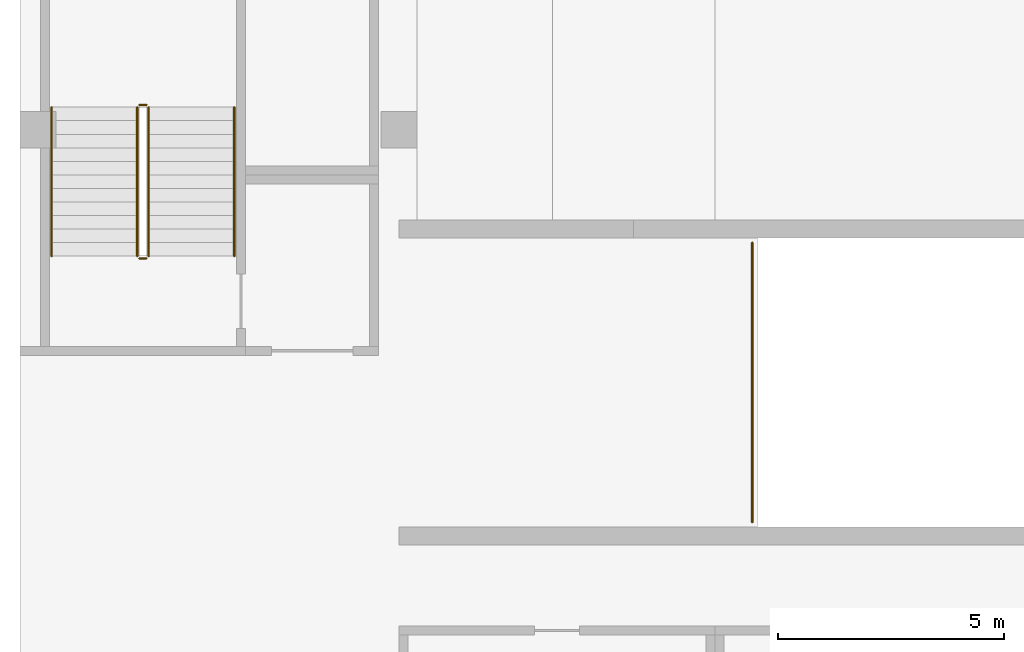
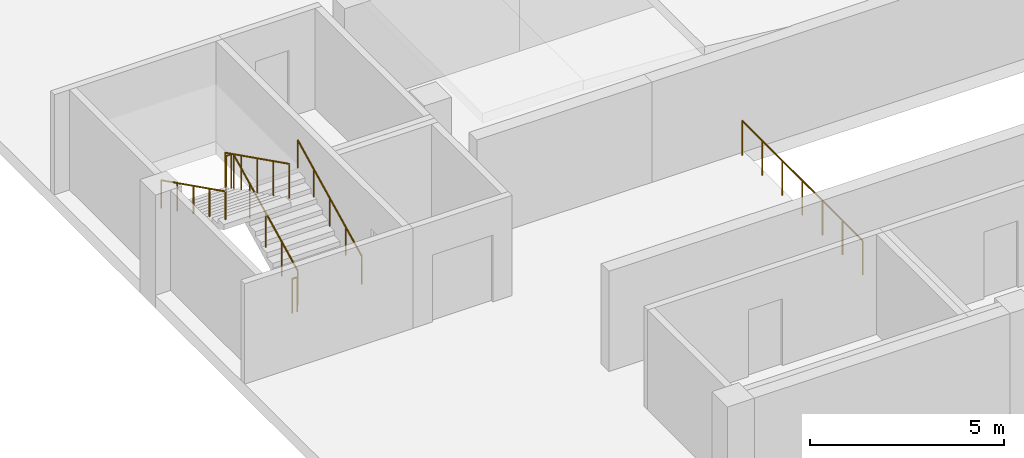
# One storey, part 19 of 37: 7 railings.
"""IFC4 building model written with IfcOpenShell, lengths in metres."""

import ifcopenshell
import ifcopenshell.guid

model = None  # the IFC model being written
_history = None  # IfcOwnerHistory: only IFC2X3 demands one
_inside = {}  # id of a spatial element -> (the spatial element, [elements in it])
_under = {}  # id of a project, library or spatial element -> (it, [spatial elements below it])
_declared = {}  # id of a project -> (the project, [libraries it declares])
_typed = {}  # id of a type object -> (the type object, [elements of that type])
_made_of = {}  # id of a material, layer set ... -> (it, [elements and type objects made of it])


def new_model(schema):
    """Start an empty IFC model of exactly this schema.

    Asked for "IFC4X3", IfcOpenShell would pick the latest addendum, in which some entities
    have other attributes; the version numbers below select the first issue.
    IFC2X3 requires an IfcOwnerHistory on every rooted entity: one is made here for all.
    """
    global model, _history
    if schema == "IFC4X3":
        model = ifcopenshell.file(schema_version=(4, 3, 0, 0))
    else:
        model = ifcopenshell.file(schema=schema)
    _inside.clear()
    _under.clear()
    _declared.clear()
    _typed.clear()
    _made_of.clear()
    _history = None
    if model.schema == "IFC2X3":
        org = make("IfcOrganization", Name="unknown")
        user = make(
            "IfcPersonAndOrganization",
            ThePerson=make("IfcPerson", FamilyName="unknown"),
            TheOrganization=org,
        )
        app = make(
            "IfcApplication",
            ApplicationDeveloper=org,
            Version="unknown",
            ApplicationFullName="unknown",
            ApplicationIdentifier="unknown",
        )
        _history = make(
            "IfcOwnerHistory",
            OwningUser=user,
            OwningApplication=app,
            ChangeAction="ADDED",
            CreationDate=0,
        )
    return model


def make(cls, **values):
    """One entity of the class cls with the attributes given. An attribute that is None is left unset."""
    return model.create_entity(
        cls, **{name: value for name, value in values.items() if value is not None}
    )


def rooted(cls, **values):
    """An entity with a GlobalId (a new one), such as an element, a storey or a relation."""
    return make(cls, GlobalId=ifcopenshell.guid.new(), OwnerHistory=_history, **values)


def si_unit(unit_type, name, prefix=None):
    """IfcSIUnit, for example si_unit("LENGTHUNIT", "METRE", prefix="MILLI")."""
    return make("IfcSIUnit", UnitType=unit_type, Prefix=prefix, Name=name)


def assignment(units):
    """IfcUnitAssignment: the units of a project."""
    return None if units is None else make("IfcUnitAssignment", Units=units)


def point(xyz):
    """IfcCartesianPoint."""
    return None if xyz is None else make("IfcCartesianPoint", Coordinates=xyz)


def direction(xyz):
    """IfcDirection."""
    return None if xyz is None else make("IfcDirection", DirectionRatios=xyz)


def frame(location, z_axis=None, x_axis=None):
    """IfcAxis2Placement3D, a coordinate frame: its origin and axes. An axis left out is left unset."""
    return make(
        "IfcAxis2Placement3D",
        Location=point(location),
        Axis=direction(z_axis),
        RefDirection=direction(x_axis),
    )


def frame_2d(location, x_axis=None):
    """IfcAxis2Placement2D, a coordinate frame in the plane: its origin and x axis."""
    return make(
        "IfcAxis2Placement2D", Location=point(location), RefDirection=direction(x_axis)
    )


def origin():
    """The frame at (0, 0, 0) with its axes left unset."""
    return frame((0.0, 0.0, 0.0))


def origin_2d():
    """The frame at (0, 0) in the plane with its x axis left unset."""
    return frame_2d((0.0, 0.0))


def place(relative_to, where):
    """IfcLocalPlacement: puts the frame where relative to a parent placement (None: the world)."""
    return make(
        "IfcLocalPlacement", PlacementRelTo=relative_to, RelativePlacement=where
    )


def context(
    kind, dimensions, precision=None, world=None, true_north=None, identifier=None
):
    """IfcGeometricRepresentationContext, for example the 3D "Model" context."""
    return make(
        "IfcGeometricRepresentationContext",
        ContextIdentifier=identifier,
        ContextType=kind,
        CoordinateSpaceDimension=dimensions,
        Precision=precision,
        WorldCoordinateSystem=world,
        TrueNorth=true_north,
    )


def subcontext(parent, identifier, kind, view, scale=None):
    """IfcGeometricRepresentationSubContext, for example "Body" below "Model"."""
    return make(
        "IfcGeometricRepresentationSubContext",
        ContextIdentifier=identifier,
        ContextType=kind,
        ParentContext=parent,
        TargetScale=scale,
        TargetView=view,
    )


def project(units=None, contexts=None):
    """IfcProject with its units and contexts."""
    return rooted(
        "IfcProject",
        Name="project",
        RepresentationContexts=contexts,
        UnitsInContext=assignment(units),
    )


def spatial(cls, under=None, at=None, **own):
    """A site, building, storey or space (cls), placed at a placement, below another one or the project."""
    s = rooted(cls, ObjectPlacement=at, **own)
    if under is not None:
        _under.setdefault(under.id(), (under, []))[1].append(s)
    return s


def profile(cls, at=None, kind="AREA", **sizes):
    """A parametric profile (cls). Its sizes go by their IFC names, for example OverallWidth=200.0."""
    return make(cls, ProfileType=kind, Position=at, **sizes)


def circle(**sizes):
    """IfcCircleProfileDef."""
    return profile("IfcCircleProfileDef", **sizes)


def extrude(swept, where, along, depth):
    """IfcExtrudedAreaSolid: the profile swept, set in the frame where, extruded along a direction by depth."""
    return make(
        "IfcExtrudedAreaSolid",
        SweptArea=swept,
        Position=where,
        ExtrudedDirection=direction(along),
        Depth=depth,
    )


def shape(context_of_items, identifier, shape_type, items):
    """IfcShapeRepresentation: the items that make up one representation, for example the "Body"."""
    return make(
        "IfcShapeRepresentation",
        ContextOfItems=context_of_items,
        RepresentationIdentifier=identifier,
        RepresentationType=shape_type,
        Items=items,
    )


def material(Name=None, Category=None):
    """IfcMaterial."""
    return make("IfcMaterial", Name=Name, Category=Category)


def made_of(thing, what):
    """Note that an element or type object is made of a material, layer set ...; save() writes the relation."""
    if what is not None:
        _made_of.setdefault(what.id(), (what, []))[1].append(thing)
    return thing


def type_object(cls, material=None, **own):
    """A type object (cls), such as IfcWallType, which elements share."""
    return made_of(rooted(cls, **own), material)


def element(
    cls,
    number,
    at=None,
    inside=None,
    cuts=None,
    type_object=None,
    material=None,
    context=None,
    identifier="Body",
    shape_type=None,
    held_by="IfcProductDefinitionShape",
    body=None,
    shapes=None,
    **own,
):
    """One element of the class cls, such as IfcWall. Its Tag is "e" and its number.

    at: its placement. inside: the storey or other place that contains it. cuts: it is an
    opening in that element (IfcRelVoidsElement). A single representation is given by context,
    identifier, shape_type and body (its items); several are given by shapes. held_by: the class
    of the entity that holds the representations. save() writes the other relations.
    """
    e = rooted(cls, Tag="e%d" % number, ObjectPlacement=at, **own)
    if body is not None:
        shapes = [shape(context, identifier, shape_type, body)]
    if shapes is not None:
        e.Representation = make(held_by, Representations=shapes)
    if inside is not None:
        _inside.setdefault(inside.id(), (inside, []))[1].append(e)
    if cuts is not None:
        rooted(
            "IfcRelVoidsElement", RelatingBuildingElement=cuts, RelatedOpeningElement=e
        )
    if type_object is not None:
        _typed.setdefault(type_object.id(), (type_object, []))[1].append(e)
    return made_of(e, material)


def aggregate(whole, parts):
    """IfcRelAggregates: a whole, such as a stair, and the parts it consists of."""
    return rooted("IfcRelAggregates", RelatingObject=whole, RelatedObjects=parts)


def save(model, path):
    """Write the relations noted so far, then the file.

    IfcRelAggregates (storeys below a building ...), IfcRelContainedInSpatialStructure (elements
    in a storey), IfcRelDefinesByType, IfcRelAssociatesMaterial and IfcRelDeclares: one each for
    every whole, place, type object, material and project.
    """
    for whole, parts in _under.values():
        aggregate(whole, parts)
    for where, things in _inside.values():
        rooted(
            "IfcRelContainedInSpatialStructure",
            RelatedElements=things,
            RelatingStructure=where,
        )
    for kind, things in _typed.values():
        rooted("IfcRelDefinesByType", RelatedObjects=things, RelatingType=kind)
    for what, things in _made_of.values():
        rooted("IfcRelAssociatesMaterial", RelatedObjects=things, RelatingMaterial=what)
    for by, libraries in _declared.values():
        rooted("IfcRelDeclares", RelatingContext=by, RelatedDefinitions=libraries)
    model.write(path)


model = new_model("IFC4")

# Units and contexts
model_context = context("Model", 3, precision=1e-05, world=origin(), true_north=direction((0.0, 1.0)))
body_context = subcontext(model_context, "Body", "Model", "MODEL_VIEW")
ifc_project = project(units=[si_unit("LENGTHUNIT", "METRE"), si_unit("AREAUNIT", "SQUARE_METRE"), si_unit("VOLUMEUNIT", "CUBIC_METRE"), si_unit("PLANEANGLEUNIT", "RADIAN"), si_unit("MASSUNIT", "GRAM", prefix="KILO")], contexts=[model_context])

# Site, building, storey
site_placement = place(None, origin())
site = spatial("IfcSite", under=ifc_project, at=site_placement, CompositionType="ELEMENT")
building_placement = place(site_placement, origin())
building = spatial("IfcBuilding", under=site, at=building_placement, Name="Tamra Quay Hotel Tower", CompositionType="ELEMENT")
storey_placement = place(building_placement, frame((0.0, 0.0, -3.60009765625)))
storey = spatial("IfcBuildingStorey", under=building, at=storey_placement, Name="B1", CompositionType="ELEMENT", Elevation=-3.60009765625)

# Railings
ifc_material_1 = material(Name="Basement stair guard 1100")
railing_type_1 = type_object("IfcRailingType", Name="Basement stair guard 1100", PredefinedType="GUARDRAIL", material=ifc_material_1)
railing_1_placement = place(storey_placement, frame((-119.85009765625, -66.800048828125, 0.150146484375)))
element("IfcRailing", 1, at=railing_1_placement, inside=storey, type_object=railing_type_1, Name="BSG", PredefinedType="GUARDRAIL", context=body_context, shape_type="SweptSolid", body=[
    extrude(circle(Radius=0.02392578125, at=origin_2d()), frame((0.0, 0.0, 1.076171875), z_axis=(0.0, 0.894440424912, 0.447187126696), x_axis=(-1.0, 0.0, 0.0)), (0.0, 0.0, 1.0), 3.689453125),
    extrude(circle(Radius=0.02099609375, at=origin_2d()), origin(), (0.0, 0.0, 1.0), 1.052001953125),
    extrude(circle(Radius=0.02099609375, at=origin_2d()), frame((0.0, 0.824951171875, 0.41259765625)), (0.0, 0.0, 1.0), 1.052001953125),
    extrude(circle(Radius=0.02099609375, at=origin_2d()), frame((0.0, 1.64990234375, 0.824951171875)), (0.0, 0.0, 1.0), 1.052001953125),
    extrude(circle(Radius=0.02099609375, at=origin_2d()), frame((0.0, 2.47509765625, 1.2373046875)), (0.0, 0.0, 1.0), 1.052001953125),
    extrude(circle(Radius=0.02099609375, at=origin_2d()), frame((0.0, 3.300048828125, 1.64990234375)), (0.0, 0.0, 1.0), 1.052001953125),
])
railing_2_placement = place(storey_placement, frame((-119.89990234375, -63.449951171875, 1.800048828125)))
element("IfcRailing", 2, at=railing_2_placement, inside=storey, type_object=railing_type_1, Name="BSG", PredefinedType="GUARDRAIL", context=body_context, shape_type="SweptSolid", body=[
    extrude(circle(Radius=0.02392578125, at=origin_2d()), frame((0.0, 0.0, 1.076171875), z_axis=(-1.0, 0.0, 0.0), x_axis=(0.0, -1.0, 0.0)), (0.0, 0.0, 1.0), 0.150146484375),
    extrude(circle(Radius=0.02099609375, at=origin_2d()), origin(), (0.0, 0.0, 1.0), 1.052001953125),
    extrude(circle(Radius=0.02099609375, at=origin_2d()), frame((-0.150146484375, 0.0, 0.0)), (0.0, 0.0, 1.0), 1.052001953125),
])
railing_3_placement = place(storey_placement, frame((-120.10009765625, -63.5, 1.9501953125)))
element("IfcRailing", 3, at=railing_3_placement, inside=storey, type_object=railing_type_1, Name="BSG", PredefinedType="GUARDRAIL", context=body_context, shape_type="SweptSolid", body=[
    extrude(circle(Radius=0.02392578125, at=origin_2d()), frame((0.0, 0.0, 1.076171875), z_axis=(0.0, -0.894440424912, 0.447187126696), x_axis=(1.0, 0.0, 0.0)), (0.0, 0.0, 1.0), 3.689453125),
    extrude(circle(Radius=0.02099609375, at=origin_2d()), origin(), (0.0, 0.0, 1.0), 1.052001953125),
    extrude(circle(Radius=0.02099609375, at=origin_2d()), frame((0.0, -0.824951171875, 0.41259765625)), (0.0, 0.0, 1.0), 1.052001953125),
    extrude(circle(Radius=0.02099609375, at=origin_2d()), frame((0.0, -1.64990234375, 0.824951171875)), (0.0, 0.0, 1.0), 1.052001953125),
    extrude(circle(Radius=0.02099609375, at=origin_2d()), frame((0.0, -2.47509765625, 1.2373046875)), (0.0, 0.0, 1.0), 1.052001953125),
    extrude(circle(Radius=0.02099609375, at=origin_2d()), frame((0.0, -3.300048828125, 1.64990234375)), (0.0, 0.0, 1.0), 1.052001953125),
])
railing_4_placement = place(storey_placement, frame((-119.89990234375, -66.85009765625, 0.0)))
element("IfcRailing", 4, at=railing_4_placement, inside=storey, type_object=railing_type_1, Name="BSG", PredefinedType="GUARDRAIL", context=body_context, shape_type="SweptSolid", body=[
    extrude(circle(Radius=0.02392578125, at=origin_2d()), frame((0.0, 0.0, 1.076171875), z_axis=(-1.0, 0.0, 0.0), x_axis=(0.0, -1.0, 0.0)), (0.0, 0.0, 1.0), 0.150146484375),
    extrude(circle(Radius=0.02099609375, at=origin_2d()), origin(), (0.0, 0.0, 1.0), 1.052001953125),
    extrude(circle(Radius=0.02099609375, at=origin_2d()), frame((-0.150146484375, 0.0, 0.0)), (0.0, 0.0, 1.0), 1.052001953125),
])
ifc_material_2 = material(Name="Basement stair handrail 900")
railing_type_2 = type_object("IfcRailingType", Name="Basement stair handrail 900", PredefinedType="HANDRAIL", material=ifc_material_2)
railing_5_placement = place(storey_placement, frame((-117.949951171875, -66.800048828125, 0.150146484375)))
element("IfcRailing", 5, at=railing_5_placement, inside=storey, type_object=railing_type_2, Name="BSH", PredefinedType="HANDRAIL", context=body_context, shape_type="SweptSolid", body=[
    extrude(circle(Radius=0.02392578125, at=origin_2d()), frame((0.0, 0.0, 0.8759765625), z_axis=(0.0, 0.894440424912, 0.447187126696), x_axis=(-1.0, 0.0, 0.0)), (0.0, 0.0, 1.0), 3.689453125),
    extrude(circle(Radius=0.02099609375, at=origin_2d()), origin(), (0.0, 0.0, 1.0), 0.851806640625),
    extrude(circle(Radius=0.02099609375, at=origin_2d()), frame((0.0, 0.824951171875, 0.41259765625)), (0.0, 0.0, 1.0), 0.851806640625),
    extrude(circle(Radius=0.02099609375, at=origin_2d()), frame((0.0, 1.64990234375, 0.824951171875)), (0.0, 0.0, 1.0), 0.851806640625),
    extrude(circle(Radius=0.02099609375, at=origin_2d()), frame((0.0, 2.47509765625, 1.2373046875)), (0.0, 0.0, 1.0), 0.851806640625),
    extrude(circle(Radius=0.02099609375, at=origin_2d()), frame((0.0, 3.300048828125, 1.64990234375)), (0.0, 0.0, 1.0), 0.851806640625),
])
railing_6_placement = place(storey_placement, frame((-122.0, -63.5, 1.9501953125)))
element("IfcRailing", 6, at=railing_6_placement, inside=storey, type_object=railing_type_2, Name="BSH", PredefinedType="HANDRAIL", context=body_context, shape_type="SweptSolid", body=[
    extrude(circle(Radius=0.02392578125, at=origin_2d()), frame((0.0, 0.0, 0.8759765625), z_axis=(0.0, -0.894440424912, 0.447187126696), x_axis=(1.0, 0.0, 0.0)), (0.0, 0.0, 1.0), 3.689453125),
    extrude(circle(Radius=0.02099609375, at=origin_2d()), origin(), (0.0, 0.0, 1.0), 0.851806640625),
    extrude(circle(Radius=0.02099609375, at=origin_2d()), frame((0.0, -0.824951171875, 0.41259765625)), (0.0, 0.0, 1.0), 0.851806640625),
    extrude(circle(Radius=0.02099609375, at=origin_2d()), frame((0.0, -1.64990234375, 0.824951171875)), (0.0, 0.0, 1.0), 0.851806640625),
    extrude(circle(Radius=0.02099609375, at=origin_2d()), frame((0.0, -2.47509765625, 1.2373046875)), (0.0, 0.0, 1.0), 0.851806640625),
    extrude(circle(Radius=0.02099609375, at=origin_2d()), frame((0.0, -3.300048828125, 1.64990234375)), (0.0, 0.0, 1.0), 0.851806640625),
])
ifc_material_3 = material(Name="Ramp opening guard 1100")
railing_type_3 = type_object("IfcRailingType", Name="Ramp opening guard 1100", PredefinedType="GUARDRAIL", material=ifc_material_3)
railing_7_placement = place(storey_placement, frame((-106.469970703125, -72.699951171875, 0.0)))
element("IfcRailing", 7, at=railing_7_placement, inside=storey, type_object=railing_type_3, Name="RG2", PredefinedType="GUARDRAIL", context=body_context, shape_type="SweptSolid", body=[
    extrude(circle(Radius=0.02392578125, at=origin_2d()), frame((0.0, 0.0, 1.076171875), z_axis=(0.0, 1.0, 0.0), x_axis=(-1.0, 0.0, 0.0)), (0.0, 0.0, 1.0), 6.199951171875),
    extrude(circle(Radius=0.02099609375, at=origin_2d()), origin(), (0.0, 0.0, 1.0), 1.052001953125),
    extrude(circle(Radius=0.02099609375, at=origin_2d()), frame((0.0, 1.033203125, 0.0)), (0.0, 0.0, 1.0), 1.052001953125),
    extrude(circle(Radius=0.02099609375, at=origin_2d()), frame((0.0, 2.066650390625, 0.0)), (0.0, 0.0, 1.0), 1.052001953125),
    extrude(circle(Radius=0.02099609375, at=origin_2d()), frame((0.0, 3.10009765625, 0.0)), (0.0, 0.0, 1.0), 1.052001953125),
    extrude(circle(Radius=0.02099609375, at=origin_2d()), frame((0.0, 4.13330078125, 0.0)), (0.0, 0.0, 1.0), 1.052001953125),
    extrude(circle(Radius=0.02099609375, at=origin_2d()), frame((0.0, 5.16650390625, 0.0)), (0.0, 0.0, 1.0), 1.052001953125),
    extrude(circle(Radius=0.02099609375, at=origin_2d()), frame((0.0, 6.199951171875, 0.0)), (0.0, 0.0, 1.0), 1.052001953125),
])

save(model, "model.ifc")
